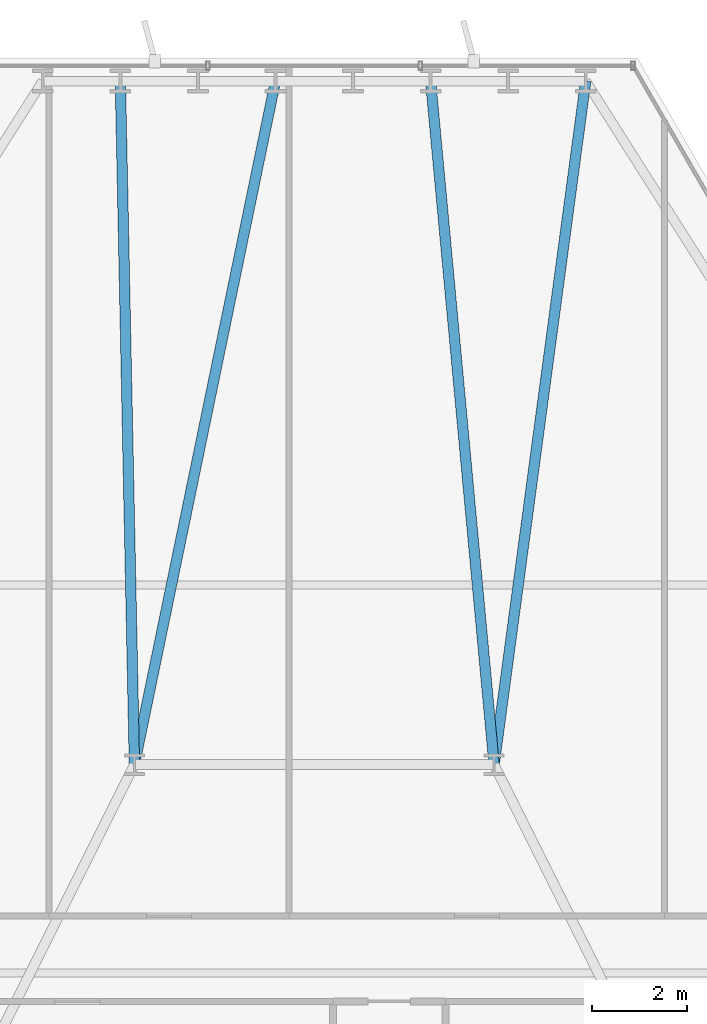
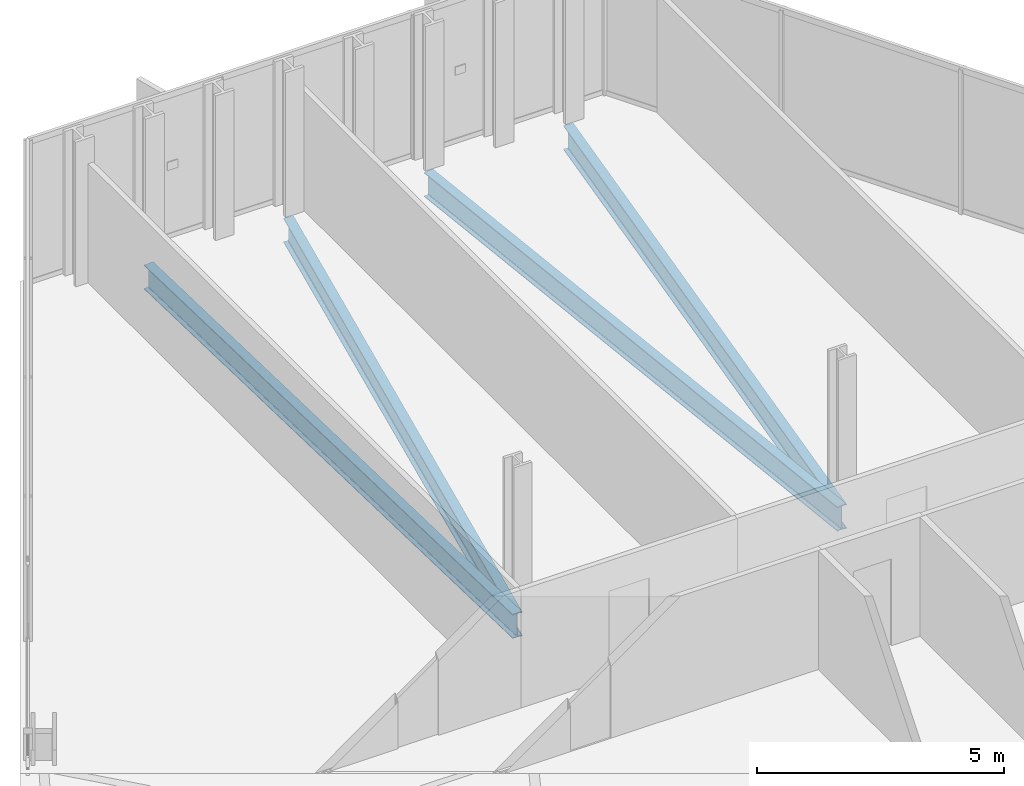
# One storey, part 21 of 31: 4 beams.
"""IFC4 building model written with IfcOpenShell, lengths in metres."""

from ifc_helpers import new_model, si_unit, direction, frame, origin, origin_2d, place, context, subcontext, project, spatial, i_section, extrude, material, material_profile, profile_set, type_object, element, save


model = new_model("IFC4")

# Units and contexts
model_context = context("Model", 3, precision=1e-05, world=origin(), true_north=direction((0.0, 1.0)))
body_context = subcontext(model_context, "Body", "Model", "MODEL_VIEW")
ifc_project = project(units=[si_unit("LENGTHUNIT", "METRE"), si_unit("AREAUNIT", "SQUARE_METRE"), si_unit("VOLUMEUNIT", "CUBIC_METRE"), si_unit("PLANEANGLEUNIT", "RADIAN"), si_unit("MASSUNIT", "GRAM", prefix="KILO")], contexts=[model_context])

# Site, building, storey
site_placement = place(None, origin())
site = spatial("IfcSite", under=ifc_project, at=site_placement, CompositionType="ELEMENT")
building_placement = place(site_placement, origin())
building = spatial("IfcBuilding", under=site, at=building_placement, Name="Ndaravel Arena Tower", CompositionType="ELEMENT")
storey_placement = place(building_placement, frame((0.0, 0.0, 104.39990234375)))
storey = spatial("IfcBuildingStorey", under=building, at=storey_placement, Name="L24", CompositionType="ELEMENT", Elevation=104.39990234375)

# Beams
ifc_material = material(Name="Steel S355", Category="steel")
ifc_material_profile = material_profile(ifc_material, i_section(OverallWidth=0.219970703125, OverallDepth=0.60009765625, WebThickness=0.011962890625, FlangeThickness=0.01904296875, FilletRadius=0.02392578125, at=origin_2d()), Name="IPE 600")
ifc_profile_set = profile_set([ifc_material_profile], Name="Steel S355")
beam_type = type_object("IfcBeamType", Name="BM-GIRD-IPE600", PredefinedType="BEAM", material=ifc_profile_set)
beam_1_placement = place(storey_placement, frame((47.7353515625, 45.642578125, -0.52001953125), z_axis=(-0.132812285384, -0.99114120934, 0.0), x_axis=(0.99114120934, -0.132812285384, 0.0)))
element("IfcBeam", 1, at=beam_1_placement, inside=storey, type_object=beam_type, Name="L24 Radial Floor Girder FG-11", PredefinedType="BEAM", context=body_context, shape_type="SweptSolid", body=[
    extrude(i_section(OverallWidth=0.219970703125, OverallDepth=0.60009765625, WebThickness=0.011962890625, FlangeThickness=0.01904296875, FilletRadius=0.02392578125, at=origin_2d()), origin(), (0.0, 0.0, 1.0), 14.57177734375),
])
beam_2_placement = place(storey_placement, frame((44.4580078125, 45.642578125, -0.52001953125), z_axis=(0.092523632985, -0.995710488716, 0.0), x_axis=(0.995710488716, 0.092523632985, 0.0)))
element("IfcBeam", 2, at=beam_2_placement, inside=storey, type_object=beam_type, Name="L24 Radial Floor Girder FG-13", PredefinedType="BEAM", context=body_context, shape_type="SweptSolid", body=[
    extrude(i_section(OverallWidth=0.219970703125, OverallDepth=0.60009765625, WebThickness=0.011962890625, FlangeThickness=0.01904296875, FilletRadius=0.02392578125, at=origin_2d()), origin(), (0.0, 0.0, 1.0), 14.5048828125),
])
beam_3_placement = place(storey_placement, frame((41.1806640625, 45.642578125, -0.52001953125), z_axis=(-0.202123286894, -0.97936008541, 0.0), x_axis=(0.97936008541, -0.202123286894, 0.0)))
element("IfcBeam", 3, at=beam_3_placement, inside=storey, type_object=beam_type, Name="L24 Radial Floor Girder FG-15", PredefinedType="BEAM", context=body_context, shape_type="SweptSolid", body=[
    extrude(i_section(OverallWidth=0.219970703125, OverallDepth=0.60009765625, WebThickness=0.011962890625, FlangeThickness=0.01904296875, FilletRadius=0.02392578125, at=origin_2d()), origin(), (0.0, 0.0, 1.0), 14.7470703125),
])
beam_4_placement = place(storey_placement, frame((37.9033203125, 45.642578125, -0.52001953125), z_axis=(0.020534236315, -0.999789150341, 0.0), x_axis=(0.999789150341, 0.020534236315, 0.0)))
element("IfcBeam", 4, at=beam_4_placement, inside=storey, type_object=beam_type, Name="L24 Radial Floor Girder FG-17", PredefinedType="BEAM", context=body_context, shape_type="SweptSolid", body=[
    extrude(i_section(OverallWidth=0.219970703125, OverallDepth=0.60009765625, WebThickness=0.011962890625, FlangeThickness=0.01904296875, FilletRadius=0.02392578125, at=origin_2d()), origin(), (0.0, 0.0, 1.0), 14.445556640625),
])

save(model, "model.ifc")
